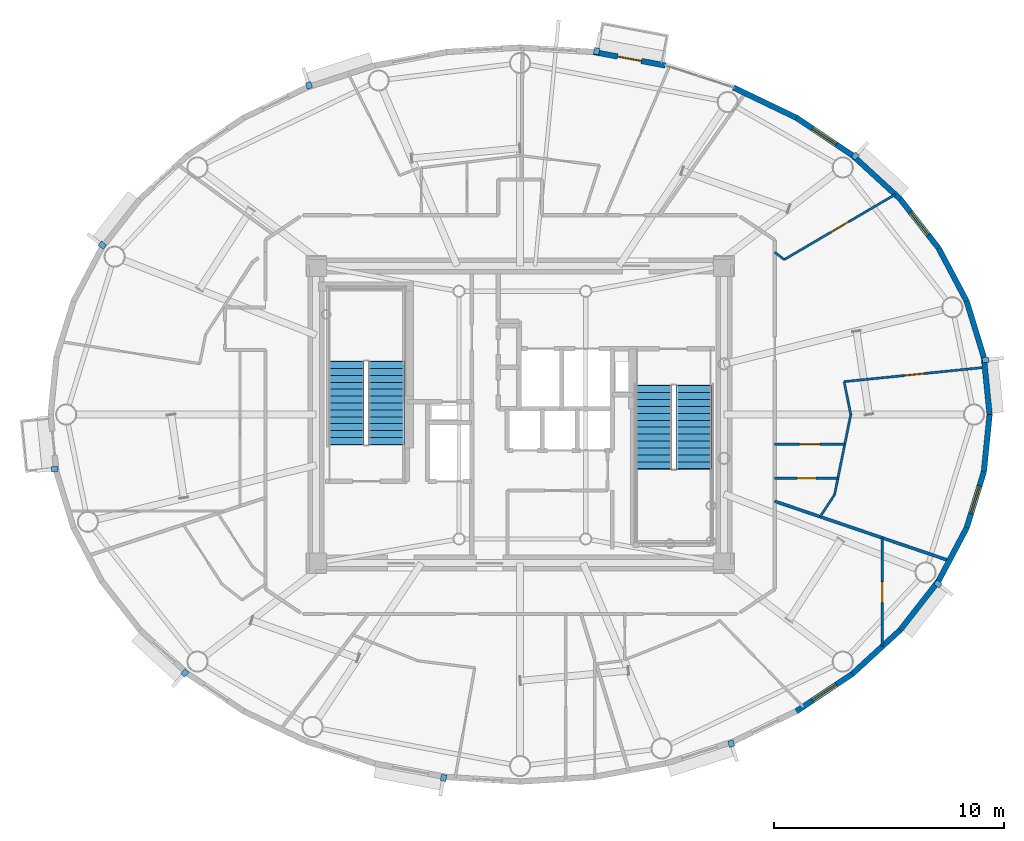
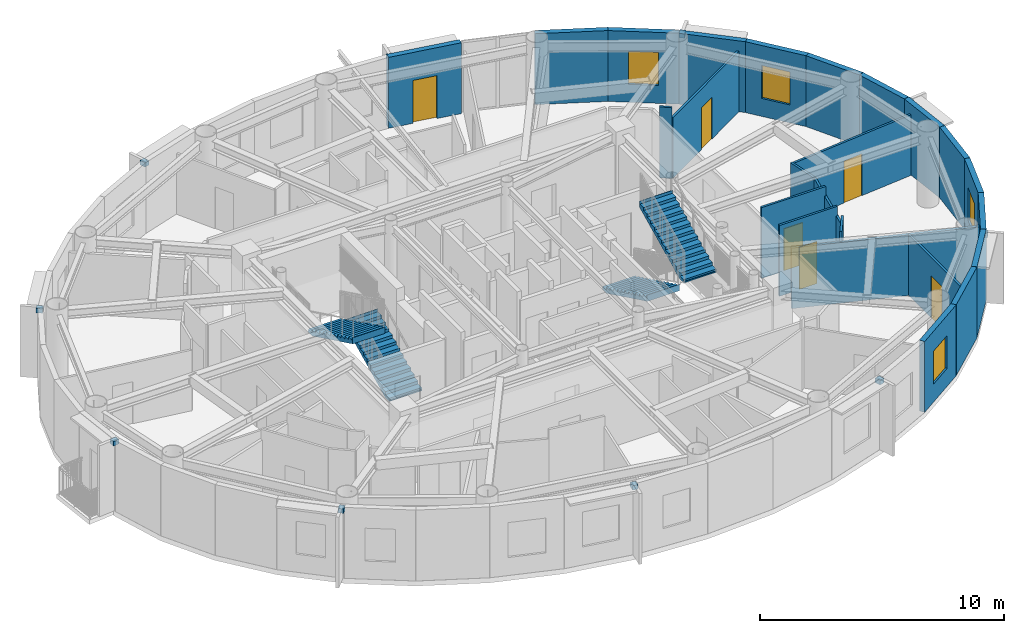
# One storey, part 10 of 17: 24 walls, 10 discrete accessories, 6 doors, 4 stair flights, 4 windows, 10 openings, 2 elements without a shape of their own.
"""IFC4 building model written with IfcOpenShell, lengths in metres."""

from ifc_helpers import new_model, si_unit, direction, frame, frame_2d, origin, origin_2d, place, context, subcontext, project, spatial, polyline, rectangle, outline, extrude, source, transform, mapped, material, layer, layer_set, type_object, element, fill, aggregate, save


model = new_model("IFC4")

# Units and contexts
model_context = context("Model", 3, precision=1e-05, world=origin(), true_north=direction((0.0, 1.0)))
body_context = subcontext(model_context, "Body", "Model", "MODEL_VIEW")
ifc_project = project(units=[si_unit("LENGTHUNIT", "METRE"), si_unit("AREAUNIT", "SQUARE_METRE"), si_unit("VOLUMEUNIT", "CUBIC_METRE"), si_unit("PLANEANGLEUNIT", "RADIAN"), si_unit("MASSUNIT", "GRAM", prefix="KILO")], contexts=[model_context])

# Site, building, storey
site_placement = place(None, origin())
site = spatial("IfcSite", under=ifc_project, at=site_placement, CompositionType="ELEMENT")
building_placement = place(site_placement, origin())
building = spatial("IfcBuilding", under=site, at=building_placement, Name="Linh Dai School and Residence Tower", CompositionType="ELEMENT")
storey_placement = place(building_placement, frame((0.0, 0.0, 327.800048828125)))
storey = spatial("IfcBuildingStorey", under=building, at=storey_placement, Name="L81", CompositionType="ELEMENT", Elevation=327.800048828125)

# Walls
ifc_material_1 = material(Name="Precast Concrete B45 (C35/45)", Category="concrete")
ifc_layer_1 = layer(ifc_material_1, 0.239990234375)
ifc_layer_set_1 = layer_set([ifc_layer_1], Name="Precast Concrete B45 (C35/45)")
wall_type_1 = type_object("IfcWallType", Name="EW-TC-240", PredefinedType="SOLIDWALL", material=ifc_layer_set_1)
wall_1_placement = place(storey_placement, frame((56.125, 29.48681640625, 0.0), z_axis=(0.0, 0.0, 1.0), x_axis=(0.100025963401, -0.994984827344, 0.0)))
element("IfcWall", 1, at=wall_1_placement, inside=storey, type_object=wall_type_1, Name="L81 Terracotta Exterior Wall 01", PredefinedType="SOLIDWALL", context=body_context, shape_type="SweptSolid", body=[
    extrude(rectangle(XDim=2.499267578125, YDim=0.239990234375, at=frame_2d((1.24951171875, 0.0))), origin(), (0.0, 0.0, 1.0), 3.550048828125),
])
wall_2_placement = place(storey_placement, frame((55.381103515625, 31.913330078125, 0.0), z_axis=(0.0, 0.0, 1.0), x_axis=(0.293105547213, -0.956080089842, 0.0)))
element("IfcWall", 2, at=wall_2_placement, inside=storey, type_object=wall_type_1, Name="L81 Terracotta Exterior Wall 02", PredefinedType="SOLIDWALL", context=body_context, shape_type="SweptSolid", body=[
    extrude(rectangle(XDim=2.5380859375, YDim=0.239990234375, at=frame_2d((1.26904296875, 0.0))), origin(), (0.0, 0.0, 1.0), 3.550048828125),
])
wall_3_placement = place(storey_placement, frame((54.160888671875, 34.220703125, 0.0), z_axis=(0.0, 0.0, 1.0), x_axis=(0.467487999989, -0.883999417345, 0.0)))
element("IfcWall", 3, at=wall_3_placement, inside=storey, type_object=wall_type_1, Name="L81 Terracotta Exterior Wall 03", PredefinedType="SOLIDWALL", context=body_context, shape_type="SweptSolid", body=[
    extrude(rectangle(XDim=2.610107421875, YDim=0.239990234375, at=frame_2d((1.30517578125, 0.0))), origin(), (0.0, 0.0, 1.0), 3.550048828125),
])

# Wall, opening, window
wall_4_placement = place(storey_placement, frame((52.4931640625, 36.351806640625, 0.0), z_axis=(0.0, 0.0, 1.0), x_axis=(0.616286367698, -0.78752213492, 0.0)))
wall_4 = element("IfcWall", 4, at=wall_4_placement, inside=storey, type_object=wall_type_1, Name="L81 Terracotta Exterior Wall 04", PredefinedType="SOLIDWALL", context=body_context, shape_type="SweptSolid", body=[
    extrude(rectangle(XDim=2.7060546875, YDim=0.239990234375, at=frame_2d((1.35302734375, 0.0))), origin(), (0.0, 0.0, 1.0), 3.550048828125),
])
opening_1_placement = place(wall_4_placement, frame((0.72802734375, 0.0, 0.89990234375)))
opening_1 = element("IfcOpeningElement", 5, at=opening_1_placement, cuts=wall_4, Name="Opening W3", PredefinedType="OPENING", context=body_context, shape_type="SweptSolid", body=[
    extrude(rectangle(XDim=1.25, YDim=1.64990234375, at=origin_2d()), frame((0.625, 0.1298828125, 0.824951171875), z_axis=(0.0, -1.0, 0.0), x_axis=(1.0, 0.0, 0.0)), (0.0, 0.0, 1.0), 0.260009765625),
])
ifc_material_2 = material(Name="Double Low-E Insulated Glazing", Category="glass")
window_type = type_object("IfcWindowType", Name="WN-RES-1250x1650", PartitioningType="SINGLE_PANEL", PredefinedType="WINDOW", material=ifc_material_2)
shared_shape_1 = source(origin(), body_context, "Body", "SweptSolid", [
    extrude(rectangle(XDim=1.25, YDim=1.64990234375, at=origin_2d()), frame((0.625, 0.030029296875, 0.824951171875), z_axis=(0.0, -1.0, 0.0), x_axis=(1.0, 0.0, 0.0)), (0.0, 0.0, 1.0), 0.06005859375),
])
window_1_placement = place(opening_1_placement, origin())
window_1 = element("IfcWindow", 6, at=window_1_placement, inside=storey, type_object=window_type, Name="L81 Dwelling Window U8107-LIV", OverallHeight=1.64990234375, OverallWidth=1.25, PartitioningType="SINGLE_PANEL", PredefinedType="WINDOW", context=body_context, shape_type="MappedRepresentation", body=[
    mapped(shared_shape_1, transform((0.0, 0.0, 0.0), x_axis=(1.0, 0.0, 0.0), y_axis=(0.0, 1.0, 0.0), z_axis=(0.0, 0.0, 1.0), scale=1.0)),
])
fill(opening_1, window_1)

# Wall
wall_5_placement = place(storey_placement, frame((50.418701171875, 38.254150390625, 0.0), z_axis=(0.0, 0.0, 1.0), x_axis=(0.737020907932, -0.675869944051, 0.0)))
element("IfcWall", 7, at=wall_5_placement, inside=storey, type_object=wall_type_1, Name="L81 Terracotta Exterior Wall 05", PredefinedType="SOLIDWALL", context=body_context, shape_type="SweptSolid", body=[
    extrude(rectangle(XDim=2.814697265625, YDim=0.239990234375, at=frame_2d((1.4072265625, 0.0))), origin(), (0.0, 0.0, 1.0), 3.550048828125),
])

# Wall, opening, window
wall_6_placement = place(storey_placement, frame((47.98779296875, 39.880126953125, 0.0), z_axis=(0.0, 0.0, 1.0), x_axis=(0.831201688654, -0.555970999944, 0.0)))
wall_6 = element("IfcWall", 8, at=wall_6_placement, inside=storey, type_object=wall_type_1, Name="L81 Terracotta Exterior Wall 06", PredefinedType="SOLIDWALL", context=body_context, shape_type="SweptSolid", body=[
    extrude(rectangle(XDim=2.924560546875, YDim=0.239990234375, at=frame_2d((1.46240234375, 0.0))), origin(), (0.0, 0.0, 1.0), 3.550048828125),
])
opening_2_placement = place(wall_6_placement, frame((0.837158203125, 0.0, 0.89990234375)))
opening_2 = element("IfcOpeningElement", 9, at=opening_2_placement, cuts=wall_6, Name="Opening W3", PredefinedType="OPENING", context=body_context, shape_type="SweptSolid", body=[
    extrude(rectangle(XDim=1.25, YDim=1.64990234375, at=origin_2d()), frame((0.625, 0.1298828125, 0.824951171875), z_axis=(0.0, -1.0, 0.0), x_axis=(1.0, 0.0, 0.0)), (0.0, 0.0, 1.0), 0.260009765625),
])
window_2_placement = place(opening_2_placement, origin())
window_2 = element("IfcWindow", 10, at=window_2_placement, inside=storey, type_object=window_type, Name="L81 Exterior Window 06.1", OverallHeight=1.64990234375, OverallWidth=1.25, PartitioningType="SINGLE_PANEL", PredefinedType="WINDOW", context=body_context, shape_type="MappedRepresentation", body=[
    mapped(shared_shape_1, transform((0.0, 0.0, 0.0), x_axis=(1.0, 0.0, 0.0), y_axis=(0.0, 1.0, 0.0), z_axis=(0.0, 0.0, 1.0), scale=1.0)),
])
fill(opening_2, window_2)

# Wall
wall_7_placement = place(storey_placement, frame((45.260498046875, 41.18896484375, 0.0), z_axis=(0.0, 0.0, 1.0), x_axis=(0.901557057889, -0.432660226241, 0.0)))
element("IfcWall", 11, at=wall_7_placement, inside=storey, type_object=wall_type_1, Name="L81 Terracotta Exterior Wall 07", PredefinedType="SOLIDWALL", context=body_context, shape_type="SweptSolid", body=[
    extrude(rectangle(XDim=3.025146484375, YDim=0.239990234375, at=frame_2d((1.5126953125, 0.0))), origin(), (0.0, 0.0, 1.0), 3.550048828125),
])

# Wall, opening, door
wall_8_placement = place(storey_placement, frame((39.19140625, 42.7333984375, 0.0), z_axis=(0.0, 0.0, 1.0), x_axis=(0.98276643264, -0.184851667226, 0.0)))
wall_8 = element("IfcWall", 12, at=wall_8_placement, inside=storey, type_object=wall_type_1, Name="L81 Terracotta Exterior Wall 09", PredefinedType="SOLIDWALL", context=body_context, shape_type="SweptSolid", body=[
    extrude(rectangle(XDim=3.167236328125, YDim=0.239990234375, at=frame_2d((1.58349609375, 0.0))), origin(), (0.0, 0.0, 1.0), 3.550048828125),
])
opening_3_placement = place(wall_8_placement, frame((1.05859375, 0.0, 0.0)))
opening_3 = element("IfcOpeningElement", 13, at=opening_3_placement, cuts=wall_8, Name="Opening BD1", PredefinedType="OPENING", context=body_context, shape_type="SweptSolid", body=[
    extrude(rectangle(XDim=1.050048828125, YDim=2.14990234375, at=origin_2d()), frame((0.52490234375, 0.1298828125, 1.074951171875), z_axis=(0.0, -1.0, 0.0), x_axis=(1.0, 0.0, 0.0)), (0.0, 0.0, 1.0), 0.260009765625),
])
ifc_material_3 = material(Name="Double-Glazed Balcony Door", Category="glass")
door_type_1 = type_object("IfcDoorType", Name="DR-BALC-1050x2150", OperationType="NOTDEFINED", PredefinedType="DOOR", material=ifc_material_3)
shared_shape_2 = source(origin(), body_context, "Body", "SweptSolid", [
    extrude(rectangle(XDim=1.050048828125, YDim=2.14990234375, at=origin_2d()), frame((0.52490234375, 0.02490234375, 1.074951171875), z_axis=(0.0, -1.0, 0.0), x_axis=(1.0, 0.0, 0.0)), (0.0, 0.0, 1.0), 0.050048828125),
])
door_1_placement = place(opening_3_placement, origin())
door_1 = element("IfcDoor", 14, at=door_1_placement, inside=storey, type_object=door_type_1, Name="L81 Glazed Balcony Door 09", OperationType="SINGLE_SWING_LEFT", OverallHeight=2.14990234375, OverallWidth=1.050048828125, PredefinedType="DOOR", context=body_context, shape_type="MappedRepresentation", body=[
    mapped(shared_shape_2, transform((0.0, 0.0, 0.0), x_axis=(1.0, 0.0, 0.0), y_axis=(0.0, 1.0, 0.0), z_axis=(0.0, 0.0, 1.0), scale=1.0)),
])
fill(opening_3, door_1)

# Wall, opening, window
wall_9_placement = place(storey_placement, frame((50.418701171875, 15.745849609375, 0.0), z_axis=(0.0, 0.0, 1.0), x_axis=(-0.831201688654, -0.555970999944, 0.0)))
wall_9 = element("IfcWall", 15, at=wall_9_placement, inside=storey, type_object=wall_type_1, Name="L81 Terracotta Exterior Wall 35", PredefinedType="SOLIDWALL", context=body_context, shape_type="SweptSolid", body=[
    extrude(rectangle(XDim=2.924560546875, YDim=0.239990234375, at=frame_2d((1.46240234375, 0.0))), origin(), (0.0, 0.0, 1.0), 3.550048828125),
])
opening_4_placement = place(wall_9_placement, frame((0.837158203125, 0.0, 0.89990234375)))
opening_4 = element("IfcOpeningElement", 16, at=opening_4_placement, cuts=wall_9, Name="Opening W3", PredefinedType="OPENING", context=body_context, shape_type="SweptSolid", body=[
    extrude(rectangle(XDim=1.25, YDim=1.64990234375, at=origin_2d()), frame((0.625, 0.1298828125, 0.824951171875), z_axis=(0.0, -1.0, 0.0), x_axis=(1.0, 0.0, 0.0)), (0.0, 0.0, 1.0), 0.260009765625),
])
window_3_placement = place(opening_4_placement, origin())
window_3 = element("IfcWindow", 17, at=window_3_placement, inside=storey, type_object=window_type, Name="L81 Dwelling Window U8106-LIV", OverallHeight=1.64990234375, OverallWidth=1.25, PartitioningType="SINGLE_PANEL", PredefinedType="WINDOW", context=body_context, shape_type="MappedRepresentation", body=[
    mapped(shared_shape_1, transform((0.0, 0.0, 0.0), x_axis=(1.0, 0.0, 0.0), y_axis=(0.0, 1.0, 0.0), z_axis=(0.0, 0.0, 1.0), scale=1.0)),
])
fill(opening_4, window_3)

# Walls
wall_10_placement = place(storey_placement, frame((52.4931640625, 17.648193359375, 0.0), z_axis=(0.0, 0.0, 1.0), x_axis=(-0.737020907932, -0.675869944051, 0.0)))
element("IfcWall", 18, at=wall_10_placement, inside=storey, type_object=wall_type_1, Name="L81 Terracotta Exterior Wall 36", PredefinedType="SOLIDWALL", context=body_context, shape_type="SweptSolid", body=[
    extrude(rectangle(XDim=2.814697265625, YDim=0.239990234375, at=frame_2d((1.4072265625, 0.0))), origin(), (0.0, 0.0, 1.0), 3.550048828125),
])
wall_11_placement = place(storey_placement, frame((54.160888671875, 19.779296875, 0.0), z_axis=(0.0, 0.0, 1.0), x_axis=(-0.616286367698, -0.78752213492, 0.0)))
element("IfcWall", 19, at=wall_11_placement, inside=storey, type_object=wall_type_1, Name="L81 Terracotta Exterior Wall 37", PredefinedType="SOLIDWALL", context=body_context, shape_type="SweptSolid", body=[
    extrude(rectangle(XDim=2.7060546875, YDim=0.239990234375, at=frame_2d((1.35302734375, 0.0))), origin(), (0.0, 0.0, 1.0), 3.550048828125),
])
wall_12_placement = place(storey_placement, frame((55.381103515625, 22.086669921875, 0.0), z_axis=(0.0, 0.0, 1.0), x_axis=(-0.467487999989, -0.883999417345, 0.0)))
element("IfcWall", 20, at=wall_12_placement, inside=storey, type_object=wall_type_1, Name="L81 Terracotta Exterior Wall 38", PredefinedType="SOLIDWALL", context=body_context, shape_type="SweptSolid", body=[
    extrude(rectangle(XDim=2.610107421875, YDim=0.239990234375, at=frame_2d((1.30517578125, 0.0))), origin(), (0.0, 0.0, 1.0), 3.550048828125),
])

# Wall, opening, window
wall_13_placement = place(storey_placement, frame((56.125, 24.51318359375, 0.0), z_axis=(0.0, 0.0, 1.0), x_axis=(-0.293105547213, -0.956080089842, 0.0)))
wall_13 = element("IfcWall", 21, at=wall_13_placement, inside=storey, type_object=wall_type_1, Name="L81 Terracotta Exterior Wall 39", PredefinedType="SOLIDWALL", context=body_context, shape_type="SweptSolid", body=[
    extrude(rectangle(XDim=2.5380859375, YDim=0.239990234375, at=frame_2d((1.26904296875, 0.0))), origin(), (0.0, 0.0, 1.0), 3.550048828125),
])
opening_5_placement = place(wall_13_placement, frame((0.64404296875, 0.0, 0.89990234375)))
opening_5 = element("IfcOpeningElement", 22, at=opening_5_placement, cuts=wall_13, Name="Opening W3", PredefinedType="OPENING", context=body_context, shape_type="SweptSolid", body=[
    extrude(rectangle(XDim=1.25, YDim=1.64990234375, at=origin_2d()), frame((0.625, 0.1298828125, 0.824951171875), z_axis=(0.0, -1.0, 0.0), x_axis=(1.0, 0.0, 0.0)), (0.0, 0.0, 1.0), 0.260009765625),
])
window_4_placement = place(opening_5_placement, origin())
window_4 = element("IfcWindow", 23, at=window_4_placement, inside=storey, type_object=window_type, Name="L81 Dwelling Window U8107-BD1", OverallHeight=1.64990234375, OverallWidth=1.25, PartitioningType="SINGLE_PANEL", PredefinedType="WINDOW", context=body_context, shape_type="MappedRepresentation", body=[
    mapped(shared_shape_1, transform((0.0, 0.0, 0.0), x_axis=(1.0, 0.0, 0.0), y_axis=(0.0, 1.0, 0.0), z_axis=(0.0, 0.0, 1.0), scale=1.0)),
])
fill(opening_5, window_4)

# Walls
wall_14_placement = place(storey_placement, frame((56.375, 27.0, 0.0), z_axis=(0.0, 0.0, 1.0), x_axis=(-0.100025963401, -0.994984827344, 0.0)))
element("IfcWall", 24, at=wall_14_placement, inside=storey, type_object=wall_type_1, Name="L81 Terracotta Exterior Wall 40", PredefinedType="SOLIDWALL", context=body_context, shape_type="SweptSolid", body=[
    extrude(rectangle(XDim=2.499267578125, YDim=0.239990234375, at=frame_2d((1.24951171875, 0.0))), origin(), (0.0, 0.0, 1.0), 3.550048828125),
])
ifc_material_4 = material(Name="Autoclaved Aerated Concrete Blockwork", Category="masonry")
ifc_layer_2 = layer(ifc_material_4, 0.135009765625)
ifc_layer_set_2 = layer_set([ifc_layer_2], Name="Autoclaved Aerated Concrete Blockwork")
wall_type_2 = type_object("IfcWallType", Name="IW-CORR-135-EI90", PredefinedType="PARTITIONING", material=ifc_layer_set_2)
wall_15_placement = place(storey_placement, frame((47.050048828125, 23.236572265625, 0.0), z_axis=(0.0, 0.0, 1.0), x_axis=(0.946614475353, -0.32236785673, 0.0)))
element("IfcWall", 25, at=wall_15_placement, inside=storey, type_object=wall_type_2, Name="L81 Interior Partition Wall 080", PredefinedType="PARTITIONING", context=body_context, shape_type="SweptSolid", body=[
    extrude(rectangle(XDim=8.00732421875, YDim=0.135009765625, at=frame_2d((4.003662109375, 0.0))), origin(), (0.0, 0.0, 1.0), 3.034912109375),
])

# Wall, opening, door
ifc_material_5 = material(Name="Gypsum Plasterboard Acoustic Stud Partition", Category="masonry")
ifc_layer_3 = layer(ifc_material_5, 0.10009765625)
ifc_layer_set_3 = layer_set([ifc_layer_3], Name="Gypsum Plasterboard Acoustic Stud Partition")
wall_type_3 = type_object("IfcWallType", Name="IW-UNIT-100", PredefinedType="PARTITIONING", material=ifc_layer_set_3)
wall_16_placement = place(storey_placement, frame((47.050048828125, 24.2353515625, 0.0), z_axis=(0.0, 0.0, 1.0), x_axis=(1.0, 0.0, 0.0)))
wall_16 = element("IfcWall", 26, at=wall_16_placement, inside=storey, type_object=wall_type_3, Name="L81 Interior Partition Wall 081", PredefinedType="PARTITIONING", context=body_context, shape_type="SweptSolid", body=[
    extrude(rectangle(XDim=2.74072265625, YDim=0.10009765625, at=frame_2d((1.370361328125, 0.0))), origin(), (0.0, 0.0, 1.0), 3.550048828125),
])
opening_6_placement = place(wall_16_placement, frame((0.96044921875, 0.0, 0.0)))
opening_6 = element("IfcOpeningElement", 27, at=opening_6_placement, cuts=wall_16, Name="Opening D06", PredefinedType="OPENING", context=body_context, shape_type="SweptSolid", body=[
    extrude(rectangle(XDim=0.820068359375, YDim=2.10009765625, at=origin_2d()), frame((0.41015625, 0.06005859375, 1.050048828125), z_axis=(0.0, -1.0, 0.0), x_axis=(1.0, 0.0, 0.0)), (0.0, 0.0, 1.0), 0.1201171875),
])
ifc_material_6 = material(Name="Moisture-Resistant Timber Bathroom Door", Category="wood")
door_type_2 = type_object("IfcDoorType", Name="DR-WET-820x2100", OperationType="NOTDEFINED", PredefinedType="DOOR", material=ifc_material_6)
shared_shape_3 = source(origin(), body_context, "Body", "SweptSolid", [
    extrude(rectangle(XDim=0.820068359375, YDim=2.10009765625, at=origin_2d()), frame((0.41015625, 0.02490234375, 1.050048828125), z_axis=(0.0, -1.0, 0.0), x_axis=(1.0, 0.0, 0.0)), (0.0, 0.0, 1.0), 0.050048828125),
])
door_2_placement = place(opening_6_placement, origin())
door_2 = element("IfcDoor", 28, at=door_2_placement, inside=storey, type_object=door_type_2, Name="L81 Apartment U8107 Bathroom 1 Door", OperationType="SINGLE_SWING_RIGHT", OverallHeight=2.10009765625, OverallWidth=0.820068359375, PredefinedType="DOOR", context=body_context, shape_type="MappedRepresentation", body=[
    mapped(shared_shape_3, transform((0.0, 0.0, 0.0), x_axis=(1.0, 0.0, 0.0), y_axis=(0.0, 1.0, 0.0), z_axis=(0.0, 0.0, 1.0), scale=1.0)),
])
fill(opening_6, door_2)

wall_17_placement = place(storey_placement, frame((47.050048828125, 25.705078125, 0.0), z_axis=(0.0, 0.0, 1.0), x_axis=(1.0, 0.0, 0.0)))
wall_17 = element("IfcWall", 29, at=wall_17_placement, inside=storey, type_object=wall_type_3, Name="L81 Interior Partition Wall 082", PredefinedType="PARTITIONING", context=body_context, shape_type="SweptSolid", body=[
    extrude(rectangle(XDim=3.0380859375, YDim=0.10009765625, at=frame_2d((1.51904296875, 0.0))), origin(), (0.0, 0.0, 1.0), 3.550048828125),
])
opening_7_placement = place(wall_17_placement, frame((1.069091796875, 0.0, 0.0)))
opening_7 = element("IfcOpeningElement", 30, at=opening_7_placement, cuts=wall_17, Name="Opening D05", PredefinedType="OPENING", context=body_context, shape_type="SweptSolid", body=[
    extrude(rectangle(XDim=0.89990234375, YDim=2.10009765625, at=origin_2d()), frame((0.449951171875, 0.06005859375, 1.050048828125), z_axis=(0.0, -1.0, 0.0), x_axis=(1.0, 0.0, 0.0)), (0.0, 0.0, 1.0), 0.1201171875),
])
ifc_material_7 = material(Name="Engineered Timber Internal Door", Category="wood")
door_type_3 = type_object("IfcDoorType", Name="DR-INT-900x2100", OperationType="NOTDEFINED", PredefinedType="DOOR", material=ifc_material_7)
shared_shape_4 = source(origin(), body_context, "Body", "SweptSolid", [
    extrude(rectangle(XDim=0.89990234375, YDim=2.10009765625, at=origin_2d()), frame((0.449951171875, 0.02490234375, 1.050048828125), z_axis=(0.0, -1.0, 0.0), x_axis=(1.0, 0.0, 0.0)), (0.0, 0.0, 1.0), 0.050048828125),
])
door_3_placement = place(opening_7_placement, origin())
door_3 = element("IfcDoor", 31, at=door_3_placement, inside=storey, type_object=door_type_3, Name="L81 Apartment U8107 Kitchen Door", OperationType="SINGLE_SWING_LEFT", OverallHeight=2.10009765625, OverallWidth=0.89990234375, PredefinedType="DOOR", context=body_context, shape_type="MappedRepresentation", body=[
    mapped(shared_shape_4, transform((0.0, 0.0, 0.0), x_axis=(1.0, 0.0, 0.0), y_axis=(0.0, 1.0, 0.0), z_axis=(0.0, 0.0, 1.0), scale=1.0)),
])
fill(opening_7, door_3)

# Wall
wall_18_placement = place(storey_placement, frame((47.050048828125, 34.0439453125, 0.0), z_axis=(0.0, 0.0, 1.0), x_axis=(0.787277370311, -0.616599012483, 0.0)))
element("IfcWall", 32, at=wall_18_placement, inside=storey, type_object=wall_type_3, Name="L81 Interior Partition Wall 083", PredefinedType="PARTITIONING", context=body_context, shape_type="SweptSolid", body=[
    extrude(rectangle(XDim=0.520751953125, YDim=0.10009765625, at=frame_2d((0.26025390625, 0.0))), origin(), (0.0, 0.0, 1.0), 3.550048828125),
])

# Wall, opening, door
wall_19_placement = place(storey_placement, frame((47.4599609375, 33.722900390625, 0.0), z_axis=(0.0, 0.0, 1.0), x_axis=(0.862533037069, 0.506000750952, 0.0)))
wall_19 = element("IfcWall", 33, at=wall_19_placement, inside=storey, type_object=wall_type_3, Name="L81 Interior Partition Wall 084", PredefinedType="PARTITIONING", context=body_context, shape_type="SweptSolid", body=[
    extrude(rectangle(XDim=5.591064453125, YDim=0.10009765625, at=frame_2d((2.79541015625, 0.0))), origin(), (0.0, 0.0, 1.0), 3.034912109375),
])
opening_8_placement = place(wall_19_placement, frame((2.345458984375, 0.0, 0.0)))
opening_8 = element("IfcOpeningElement", 34, at=opening_8_placement, cuts=wall_19, Name="Opening D05", PredefinedType="OPENING", context=body_context, shape_type="SweptSolid", body=[
    extrude(rectangle(XDim=0.89990234375, YDim=2.10009765625, at=origin_2d()), frame((0.449951171875, 0.06005859375, 1.050048828125), z_axis=(0.0, -1.0, 0.0), x_axis=(1.0, 0.0, 0.0)), (0.0, 0.0, 1.0), 0.1201171875),
])
door_4_placement = place(opening_8_placement, origin())
door_4 = element("IfcDoor", 35, at=door_4_placement, inside=storey, type_object=door_type_3, Name="L81 Apartment U8107 Bedroom 2 Door", OperationType="SINGLE_SWING_RIGHT", OverallHeight=2.10009765625, OverallWidth=0.89990234375, PredefinedType="DOOR", context=body_context, shape_type="MappedRepresentation", body=[
    mapped(shared_shape_4, transform((0.0, 0.0, 0.0), x_axis=(1.0, 0.0, 0.0), y_axis=(0.0, 1.0, 0.0), z_axis=(0.0, 0.0, 1.0), scale=1.0)),
])
fill(opening_8, door_4)

# Walls
wall_20_placement = place(storey_placement, frame((49.021728515625, 22.565185546875, 0.0), z_axis=(0.0, 0.0, 1.0), x_axis=(0.545436909984, 0.838151881957, 0.0)))
element("IfcWall", 36, at=wall_20_placement, inside=storey, type_object=wall_type_3, Name="L81 Interior Partition Wall 085", PredefinedType="PARTITIONING", context=body_context, shape_type="SweptSolid", body=[
    extrude(rectangle(XDim=1.147705078125, YDim=0.10009765625, at=frame_2d((0.57373046875, 0.0))), origin(), (0.0, 0.0, 1.0), 3.550048828125),
])
wall_21_placement = place(storey_placement, frame((49.647705078125, 23.527099609375, 0.0), z_axis=(0.0, 0.0, 1.0), x_axis=(0.198249177906, 0.980151653296, 0.0)))
element("IfcWall", 37, at=wall_21_placement, inside=storey, type_object=wall_type_3, Name="L81 Interior Partition Wall 086", PredefinedType="PARTITIONING", context=body_context, shape_type="SweptSolid", body=[
    extrude(rectangle(XDim=3.54296875, YDim=0.10009765625, at=frame_2d((1.771484375, 0.0))), origin(), (0.0, 0.0, 1.0), 3.0849609375),
])
wall_22_placement = place(storey_placement, frame((50.061279296875, 28.427001953125, 0.0), z_axis=(0.0, 0.0, 1.0), x_axis=(0.198372931515, -0.980126614291, 0.0)))
element("IfcWall", 38, at=wall_22_placement, inside=storey, type_object=wall_type_3, Name="L81 Interior Partition Wall 087", PredefinedType="PARTITIONING", context=body_context, shape_type="SweptSolid", body=[
    extrude(rectangle(XDim=1.4560546875, YDim=0.10009765625, at=frame_2d((0.72802734375, 0.0))), origin(), (0.0, 0.0, 1.0), 3.0849609375),
])

# Wall, opening, door
wall_23_placement = place(storey_placement, frame((50.061279296875, 28.427001953125, 0.0), z_axis=(0.0, 0.0, 1.0), x_axis=(0.994890167578, 0.100963134143, 0.0)))
wall_23 = element("IfcWall", 39, at=wall_23_placement, inside=storey, type_object=wall_type_3, Name="L81 Interior Partition Wall 088", PredefinedType="PARTITIONING", context=body_context, shape_type="SweptSolid", body=[
    extrude(rectangle(XDim=6.14453125, YDim=0.10009765625, at=frame_2d((3.072265625, 0.0))), origin(), (0.0, 0.0, 1.0), 3.034912109375),
])
opening_9_placement = place(wall_23_placement, frame((2.6220703125, 0.0, 0.0)))
opening_9 = element("IfcOpeningElement", 40, at=opening_9_placement, cuts=wall_23, Name="Opening D05", PredefinedType="OPENING", context=body_context, shape_type="SweptSolid", body=[
    extrude(rectangle(XDim=0.89990234375, YDim=2.10009765625, at=origin_2d()), frame((0.449951171875, 0.06005859375, 1.050048828125), z_axis=(0.0, -1.0, 0.0), x_axis=(1.0, 0.0, 0.0)), (0.0, 0.0, 1.0), 0.1201171875),
])
door_5_placement = place(opening_9_placement, origin())
door_5 = element("IfcDoor", 41, at=door_5_placement, inside=storey, type_object=door_type_3, Name="L81 Apartment U8107 Principal Bedroom 1 Door", OperationType="SINGLE_SWING_LEFT", OverallHeight=2.10009765625, OverallWidth=0.89990234375, PredefinedType="DOOR", context=body_context, shape_type="MappedRepresentation", body=[
    mapped(shared_shape_4, transform((0.0, 0.0, 0.0), x_axis=(1.0, 0.0, 0.0), y_axis=(0.0, 1.0, 0.0), z_axis=(0.0, 0.0, 1.0), scale=1.0)),
])
fill(opening_9, door_5)

wall_24_placement = place(storey_placement, frame((51.713134765625, 16.926025390625, 0.0), z_axis=(0.0, 0.0, 1.0), x_axis=(0.0, 1.0, 0.0)))
wall_24 = element("IfcWall", 42, at=wall_24_placement, inside=storey, type_object=wall_type_3, Name="L81 Interior Partition Wall 089", PredefinedType="PARTITIONING", context=body_context, shape_type="SweptSolid", body=[
    extrude(rectangle(XDim=4.722412109375, YDim=0.10009765625, at=frame_2d((2.361328125, 0.0))), origin(), (0.0, 0.0, 1.0), 3.034912109375),
])
opening_10_placement = place(wall_24_placement, frame((1.9111328125, 0.0, 0.0)))
opening_10 = element("IfcOpeningElement", 43, at=opening_10_placement, cuts=wall_24, Name="Opening D05", PredefinedType="OPENING", context=body_context, shape_type="SweptSolid", body=[
    extrude(rectangle(XDim=0.89990234375, YDim=2.10009765625, at=origin_2d()), frame((0.449951171875, 0.06005859375, 1.050048828125), z_axis=(0.0, -1.0, 0.0), x_axis=(1.0, 0.0, 0.0)), (0.0, 0.0, 1.0), 0.1201171875),
])
door_6_placement = place(opening_10_placement, origin())
door_6 = element("IfcDoor", 44, at=door_6_placement, inside=storey, type_object=door_type_3, Name="L81 Apartment U8106 Kitchen Door", OperationType="SINGLE_SWING_LEFT", OverallHeight=2.10009765625, OverallWidth=0.89990234375, PredefinedType="DOOR", context=body_context, shape_type="MappedRepresentation", body=[
    mapped(shared_shape_4, transform((0.0, 0.0, 0.0), x_axis=(1.0, 0.0, 0.0), y_axis=(0.0, 1.0, 0.0), z_axis=(0.0, 0.0, 1.0), scale=1.0)),
])
fill(opening_10, door_6)

# Stair, stair flights
ifc_material_8 = material(Name="Concrete B45 (C35/45)", Category="concrete")
stair_type = type_object("IfcStairType", Name="ST-DOG-1550-R1462", PredefinedType="HALF_TURN_STAIR", material=ifc_material_8)
stair_1_placement = place(storey_placement, origin())
stair_1 = element("IfcStair", 45, at=stair_1_placement, inside=storey, type_object=stair_type, Name="L81 Core Smokeproof Exit Stair ST1", PredefinedType="HALF_TURN_STAIR")
stair_flight_type = type_object("IfcStairFlightType", Name="STF-STR-1550-R1462", PredefinedType="STRAIGHT", material=ifc_material_8)
shared_shape_5 = source(origin(), body_context, "Body", "SweptSolid", [
    extrude(outline(polyline([(-0.02490234375, 0.0), (-0.02490234375, 0.06005859375), (0.0, 0.06005859375), (0.0, 0.146240234375), (0.300048828125, 0.146240234375), (0.300048828125, 0.292236328125), (0.60009765625, 0.292236328125), (0.60009765625, 0.4384765625), (0.89990234375, 0.4384765625), (0.89990234375, 0.584716796875), (1.199951171875, 0.584716796875), (1.199951171875, 0.730712890625), (1.5, 0.730712890625), (1.5, 0.876953125), (1.800048828125, 0.876953125), (1.800048828125, 1.023193359375), (2.10009765625, 1.023193359375), (2.10009765625, 1.169189453125), (2.39990234375, 1.169189453125), (2.39990234375, 1.3154296875), (2.699951171875, 1.3154296875), (2.699951171875, 1.46142578125), (3.0, 1.46142578125), (3.0, 1.607666015625), (3.300048828125, 1.607666015625), (3.300048828125, 1.75390625), (3.60009765625, 1.75390625), (3.60009765625, 1.89990234375), (3.625, 1.89990234375), (3.625, 1.587158203125), (3.60009765625, 1.587158203125), (0.34228515625, 0.0), (-0.02490234375, 0.0)])), frame((0.0, 0.77490234375, 0.0), z_axis=(0.0, -1.0, 0.0), x_axis=(1.0, 0.0, 0.0)), (0.0, 0.0, 1.0), 1.550048828125),
])
stair_flight_1_placement = place(storey_placement, frame((30.205078125, 25.699951171875, 0.0), z_axis=(0.0, 0.0, 1.0), x_axis=(0.0, 1.0, 0.0)))
stair_flight_1 = element("IfcStairFlight", 46, at=stair_flight_1_placement, type_object=stair_flight_type, Name="ST1 flight 1", NumberOfRisers=13, NumberOfTreads=12, PredefinedType="STRAIGHT", RiserHeight=0.146153846, TreadLength=0.3, context=body_context, shape_type="MappedRepresentation", body=[
    mapped(shared_shape_5, transform((0.0, 0.0, 0.0), x_axis=(1.0, 0.0, 0.0), y_axis=(0.0, 1.0, 0.0), z_axis=(0.0, 0.0, 1.0), scale=1.0)),
])
stair_flight_2_placement = place(storey_placement, frame((28.455078125, 29.300048828125, 1.89990234375), z_axis=(0.0, 0.0, 1.0), x_axis=(0.0, -1.0, 0.0)))
stair_flight_2 = element("IfcStairFlight", 47, at=stair_flight_2_placement, type_object=stair_flight_type, Name="ST1 flight 2", NumberOfRisers=13, NumberOfTreads=12, PredefinedType="STRAIGHT", RiserHeight=0.146153846, TreadLength=0.3, context=body_context, shape_type="MappedRepresentation", body=[
    mapped(shared_shape_5, transform((0.0, 0.0, 0.0), x_axis=(1.0, 0.0, 0.0), y_axis=(0.0, 1.0, 0.0), z_axis=(0.0, 0.0, 1.0), scale=1.0)),
])
aggregate(stair_1, [stair_flight_1, stair_flight_2])

stair_2_placement = place(storey_placement, origin())
stair_2 = element("IfcStair", 48, at=stair_2_placement, inside=storey, type_object=stair_type, Name="L81 Core Smokeproof Exit Stair ST2", PredefinedType="HALF_TURN_STAIR")
stair_flight_3_placement = place(storey_placement, frame((41.794921875, 28.25, 0.0), z_axis=(0.0, 0.0, 1.0), x_axis=(0.0, -1.0, 0.0)))
stair_flight_3 = element("IfcStairFlight", 49, at=stair_flight_3_placement, type_object=stair_flight_type, Name="ST2 flight 1", NumberOfRisers=13, NumberOfTreads=12, PredefinedType="STRAIGHT", RiserHeight=0.146153846, TreadLength=0.3, context=body_context, shape_type="MappedRepresentation", body=[
    mapped(shared_shape_5, transform((0.0, 0.0, 0.0), x_axis=(1.0, 0.0, 0.0), y_axis=(0.0, 1.0, 0.0), z_axis=(0.0, 0.0, 1.0), scale=1.0)),
])
stair_flight_4_placement = place(storey_placement, frame((43.544921875, 24.64990234375, 1.89990234375), z_axis=(0.0, 0.0, 1.0), x_axis=(0.0, 1.0, 0.0)))
stair_flight_4 = element("IfcStairFlight", 50, at=stair_flight_4_placement, type_object=stair_flight_type, Name="ST2 flight 2", NumberOfRisers=13, NumberOfTreads=12, PredefinedType="STRAIGHT", RiserHeight=0.146153846, TreadLength=0.3, context=body_context, shape_type="MappedRepresentation", body=[
    mapped(shared_shape_5, transform((0.0, 0.0, 0.0), x_axis=(1.0, 0.0, 0.0), y_axis=(0.0, 1.0, 0.0), z_axis=(0.0, 0.0, 1.0), scale=1.0)),
])
aggregate(stair_2, [stair_flight_3, stair_flight_4])

# Discrete accessories
ifc_material_9 = material(Name="Structural Steel S355JR", Category="steel")
discrete_accessory_type = type_object("IfcDiscreteAccessoryType", Name="ACC-BRK-S355", PredefinedType="BRACKET", material=ifc_material_9)
shared_shape_6 = source(origin(), body_context, "Body", "SweptSolid", [
    extrude(rectangle(XDim=0.280029296875, YDim=0.239990234375, at=origin_2d()), origin(), (0.0, 0.0, 1.0), 0.219970703125),
])
for number, where, z_axis, x_axis, name in (
    (51, (56.19677734375, 29.373291015625, 3.2998046875), (0.0, 0.0, 1.0), (0.994988264886, 0.099991763355, 0.0), "L81 Facade Frame Anchor Bracket 01"),
    (52, (50.547607421875, 38.21728515625, 3.2998046875), (0.0, 0.0, 1.0), (0.675840935412, 0.73704750866, 0.0), "L81 Facade Frame Anchor Bracket 05"),
    (53, (39.320556640625, 42.77001953125, 3.2998046875), (0.0, 0.0, 1.0), (0.184784564405, 0.982779051851, 0.0), "L81 Facade Frame Anchor Bracket 09"),
    (54, (26.835205078125, 41.283203125, 3.2998046875), (0.0, 0.0, 1.0), (-0.30856528097, 0.951203168298, 0.0), "L81 Facade Frame Anchor Bracket 13"),
    (55, (17.86572265625, 34.35205078125, 3.2998046875), (0.0, 0.0, 1.0), (-0.787553267085, 0.616246583361, 0.0), "L81 Facade Frame Anchor Bracket 17"),
    (56, (15.80322265625, 24.626708984375, 3.2998046875), (0.0, 0.0, 1.0), (-0.994988264886, -0.099991763355, 0.0), "L81 Facade Frame Anchor Bracket 21"),
    (57, (21.452392578125, 15.78271484375, 3.2998046875), (0.0, 0.0, 1.0), (-0.675840935412, -0.73704750866, 0.0), "L81 Facade Frame Anchor Bracket 25"),
    (58, (32.679443359375, 11.22998046875, 3.2998046875), (0.0, 0.0, 1.0), (-0.184784564405, -0.982779051851, 0.0), "L81 Facade Frame Anchor Bracket 29"),
    (59, (45.164794921875, 12.716796875, 3.2998046875), (0.0, 0.0, 1.0), (0.30856528097, -0.951203168298, 0.0), "L81 Facade Frame Anchor Bracket 33"),
    (60, (54.13427734375, 19.64794921875, 3.2998046875), (0.0, 0.0, 1.0), (0.787553267085, -0.616246583361, 0.0), "L81 Facade Frame Anchor Bracket 37"),
):
    element("IfcDiscreteAccessory", number, at=place(storey_placement, frame(where, z_axis=z_axis, x_axis=x_axis)), inside=storey, type_object=discrete_accessory_type, Name=name, PredefinedType="BRACKET", context=body_context, shape_type="MappedRepresentation", body=[
        mapped(shared_shape_6, transform((0.0, 0.0, 0.0), x_axis=(1.0, 0.0, 0.0), y_axis=(0.0, 1.0, 0.0), z_axis=(0.0, 0.0, 1.0), scale=1.0)),
    ])

save(model, "model.ifc")
